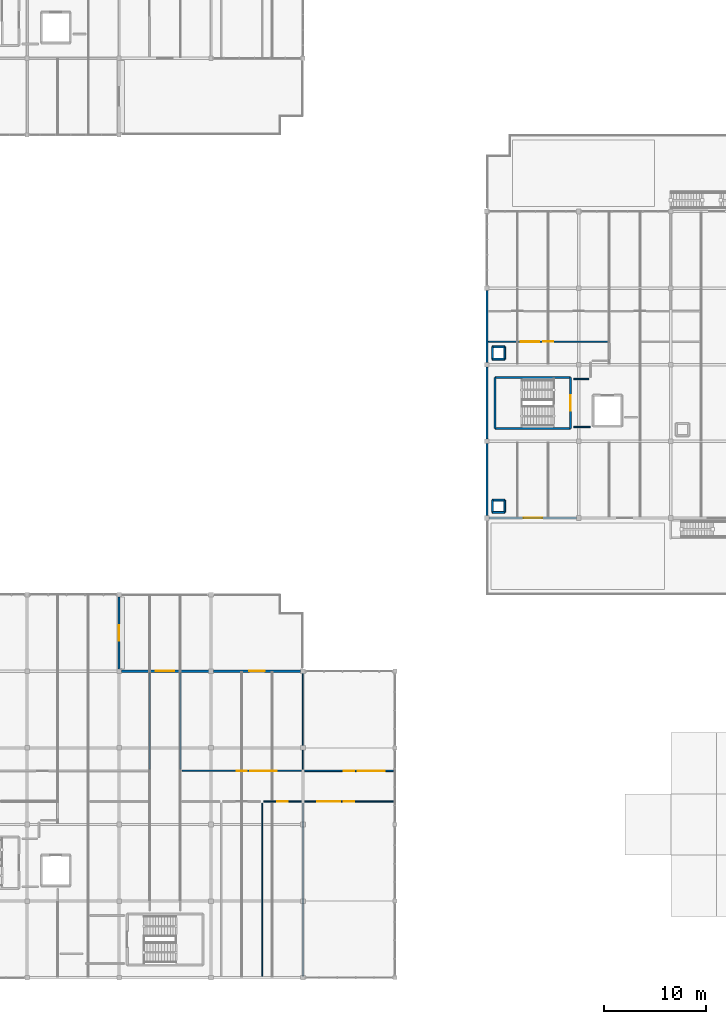
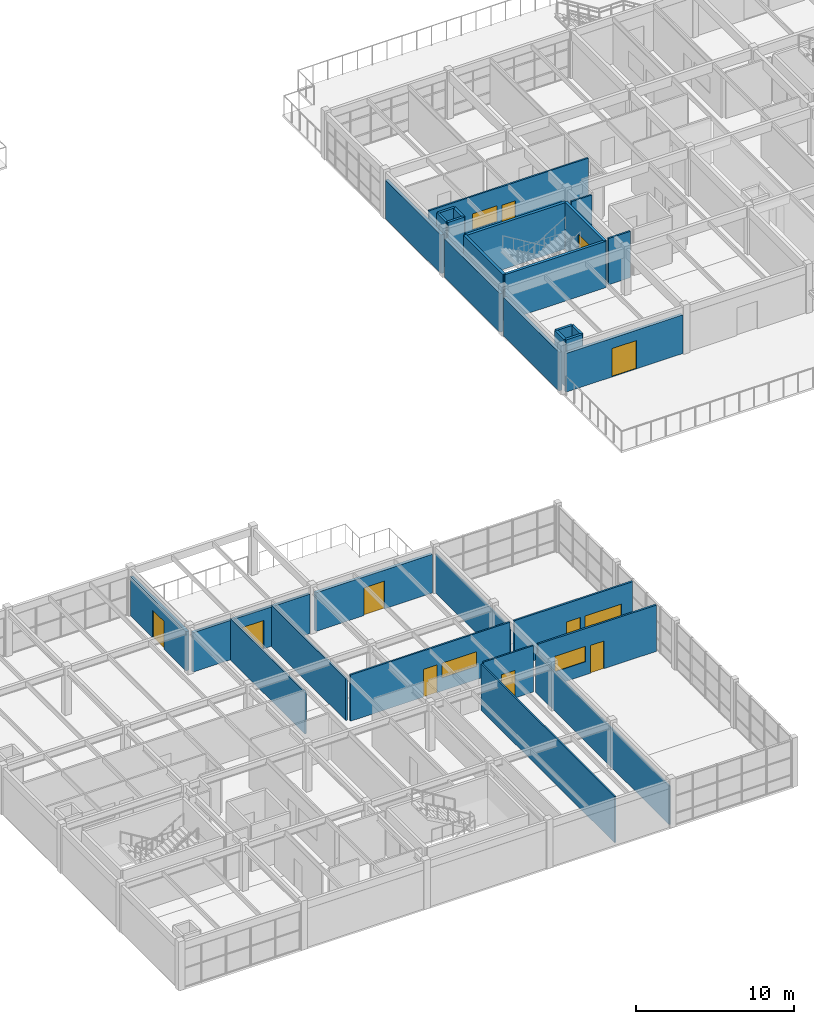
# One storey, part 37 of 45: 31 walls, 10 doors, 4 windows, 14 openings.
"""IFC4 building model written with IfcOpenShell, lengths in metres."""

from ifc_helpers import new_model, si_unit, direction, frame, frame_2d, origin, place, context, subcontext, project, spatial, rectangle, extrude, material, layer, layer_set, type_object, element, fill, save


model = new_model("IFC4")

# Units and contexts
model_context = context("Model", 3, precision=1e-05, world=origin(), true_north=direction((0.0, 1.0)))
body_context = subcontext(model_context, "Body", "Model", "MODEL_VIEW")
ifc_project = project(units=[si_unit("LENGTHUNIT", "METRE"), si_unit("AREAUNIT", "SQUARE_METRE"), si_unit("VOLUMEUNIT", "CUBIC_METRE"), si_unit("PLANEANGLEUNIT", "RADIAN"), si_unit("MASSUNIT", "GRAM", prefix="KILO")], contexts=[model_context])

# Site, building, storey
site_placement = place(None, origin())
site = spatial("IfcSite", under=ifc_project, at=site_placement, CompositionType="ELEMENT")
building_placement = place(site_placement, origin())
building = spatial("IfcBuilding", under=site, at=building_placement, Name="Marnridge Secondary College", CompositionType="ELEMENT")
storey_placement = place(building_placement, frame((0.0, 0.0, 12.300048828125)))
storey = spatial("IfcBuildingStorey", under=building, at=storey_placement, Name="L03", CompositionType="ELEMENT", Elevation=12.300048828125)

# Wall
ifc_material_1 = material(Name="Concrete C40/50 (AS 3600 N40, 40 MPa)", Category="concrete")
ifc_layer_1 = layer(ifc_material_1, 0.199951171875)
ifc_layer_set_1 = layer_set([ifc_layer_1], Name="WT-CORE-RC200")
wall_type_1 = type_object("IfcWallType", Name="WT-CORE-RC200", PredefinedType="SHEAR", material=ifc_layer_set_1)
wall_1_placement = place(storey_placement, frame((54.800048828125, 53.75, 0.0), z_axis=(0.0, 0.0, 1.0), x_axis=(1.0, 0.0, 0.0)))
element("IfcWall", 1, at=wall_1_placement, inside=storey, type_object=wall_type_1, Name="Stair core shear wall WC-L03-0261", PredefinedType="SHEAR", context=body_context, shape_type="SweptSolid", body=[
    extrude(rectangle(XDim=7.39990234375, YDim=0.199951171875, at=frame_2d((3.699951171875, 0.0))), origin(), (0.0, 0.0, 1.0), 3.58984375),
])

# Wall, opening, door
wall_2_placement = place(storey_placement, frame((62.199951171875, 53.75, 0.0), z_axis=(0.0, 0.0, 1.0), x_axis=(0.0, 1.0, 0.0)))
wall_2 = element("IfcWall", 2, at=wall_2_placement, inside=storey, type_object=wall_type_1, Name="Stair core shear wall WC-L03-0262", PredefinedType="SHEAR", context=body_context, shape_type="SweptSolid", body=[
    extrude(rectangle(XDim=5.0, YDim=0.199951171875, at=frame_2d((2.5, 0.0))), origin(), (0.0, 0.0, 1.0), 3.58984375),
])
opening_1_placement = place(wall_2_placement, frame((1.75, 0.0, 0.0)))
opening_1 = element("IfcOpeningElement", 3, at=opening_1_placement, cuts=wall_2, Name="Opening DC-L03-004", PredefinedType="OPENING", context=body_context, shape_type="SweptSolid", body=[
    extrude(rectangle(XDim=1.5, YDim=2.14990234375, at=frame_2d((0.75, 1.074951171875))), frame((0.0, 0.10986328125, 0.0), z_axis=(0.0, -1.0, 0.0), x_axis=(1.0, 0.0, 0.0)), (0.0, 0.0, 1.0), 0.219970703125),
])
ifc_material_2 = material(Name="Fire-rated solid-core timber doorset", Category="wood")
door_type_1 = type_object("IfcDoorType", Name="DT-CORE-FD150", OperationType="DOUBLE_DOOR_SINGLE_SWING", PredefinedType="DOOR", material=ifc_material_2)
door_1_placement = place(opening_1_placement, origin())
door_1 = element("IfcDoor", 4, at=door_1_placement, inside=storey, type_object=door_type_1, Name="Fire stair door DC-L03-004", OperationType="DOUBLE_DOOR_SINGLE_SWING", OverallHeight=2.14990234375, OverallWidth=1.5, PredefinedType="DOOR", context=body_context, shape_type="SweptSolid", body=[
    extrude(rectangle(XDim=1.5, YDim=2.14990234375, at=frame_2d((0.75, 1.074951171875))), frame((0.0, 0.02490234375, 0.0), z_axis=(0.0, -1.0, 0.0), x_axis=(1.0, 0.0, 0.0)), (0.0, 0.0, 1.0), 0.050048828125),
])
fill(opening_1, door_1)

# Walls
wall_3_placement = place(storey_placement, frame((62.199951171875, 58.75, 0.0), z_axis=(0.0, 0.0, 1.0), x_axis=(-1.0, 0.0, 0.0)))
element("IfcWall", 5, at=wall_3_placement, inside=storey, type_object=wall_type_1, Name="Stair core shear wall WC-L03-0263", PredefinedType="SHEAR", context=body_context, shape_type="SweptSolid", body=[
    extrude(rectangle(XDim=7.39990234375, YDim=0.199951171875, at=frame_2d((3.699951171875, 0.0))), origin(), (0.0, 0.0, 1.0), 3.58984375),
])
wall_4_placement = place(storey_placement, frame((54.800048828125, 58.75, 0.0), z_axis=(0.0, 0.0, 1.0), x_axis=(0.0, -1.0, 0.0)))
element("IfcWall", 6, at=wall_4_placement, inside=storey, type_object=wall_type_1, Name="Stair core shear wall WC-L03-0264", PredefinedType="SHEAR", context=body_context, shape_type="SweptSolid", body=[
    extrude(rectangle(XDim=5.0, YDim=0.199951171875, at=frame_2d((2.5, 0.0))), origin(), (0.0, 0.0, 1.0), 3.58984375),
])

# Wall, opening, door
ifc_material_3 = material(Name="Cross-laminated timber CL5", Category="wood")
ifc_layer_2 = layer(ifc_material_3, 0.215087890625)
ifc_layer_set_2 = layer_set([ifc_layer_2], Name="WT-EXT-CLT215")
wall_type_2 = type_object("IfcWallType", Name="WT-EXT-CLT215", PredefinedType="SOLIDWALL", material=ifc_layer_set_2)
wall_5_placement = place(storey_placement, frame((62.779052734375, 45.0, 0.0), z_axis=(0.0, 0.0, 1.0), x_axis=(-1.0, 0.0, 0.0)))
wall_5 = element("IfcWall", 7, at=wall_5_placement, inside=storey, type_object=wall_type_2, Name="Exterior wall WE-L03-0172", PredefinedType="SOLIDWALL", context=body_context, shape_type="SweptSolid", body=[
    extrude(rectangle(XDim=8.55810546875, YDim=0.215087890625, at=frame_2d((4.279052734375, 0.0))), origin(), (0.0, 0.0, 1.0), 2.9970703125),
])
opening_2_placement = place(wall_5_placement, frame((3.37890625, 0.0, 0.0)))
opening_2 = element("IfcOpeningElement", 8, at=opening_2_placement, cuts=wall_5, Name="Opening DE-L03-035", PredefinedType="OPENING", context=body_context, shape_type="SweptSolid", body=[
    extrude(rectangle(XDim=1.800048828125, YDim=2.199951171875, at=frame_2d((0.89990234375, 1.10009765625))), frame((0.0, 0.117431640625, 0.0), z_axis=(0.0, -1.0, 0.0), x_axis=(1.0, 0.0, 0.0)), (0.0, 0.0, 1.0), 0.235107421875),
])
ifc_material_4 = material(Name="Thermally broken timber-aluminium terrace doorset", Category="wood")
door_type_2 = type_object("IfcDoorType", Name="DT-EXT-TER180", OperationType="DOUBLE_DOOR_SINGLE_SWING", PredefinedType="DOOR", material=ifc_material_4)
door_2_placement = place(opening_2_placement, origin())
door_2 = element("IfcDoor", 9, at=door_2_placement, inside=storey, type_object=door_type_2, Name="Play deck access door DE-L03-035", OperationType="DOUBLE_DOOR_SINGLE_SWING", OverallHeight=2.199951171875, OverallWidth=1.800048828125, PredefinedType="DOOR", context=body_context, shape_type="SweptSolid", body=[
    extrude(rectangle(XDim=1.800048828125, YDim=2.199951171875, at=frame_2d((0.89990234375, 1.10009765625))), frame((0.0, 0.02490234375, 0.0), z_axis=(0.0, -1.0, 0.0), x_axis=(1.0, 0.0, 0.0)), (0.0, 0.0, 1.0), 0.050048828125),
])
fill(opening_2, door_2)

# Walls
for number, where, z_axis, x_axis, name in (
    (10, (54.0, 45.220947265625, 0.0), (0.0, 0.0, 1.0), (0.0, 1.0, 0.0), "Exterior wall WE-L03-0173"),
    (11, (54.0, 52.720947265625, 0.0), (0.0, 0.0, 1.0), (0.0, 1.0, 0.0), "Exterior wall WE-L03-0174"),
    (12, (54.0, 60.220947265625, 0.0), (0.0, 0.0, 1.0), (0.0, 1.0, 0.0), "Exterior wall WE-L03-0175"),
):
    element("IfcWall", number, at=place(storey_placement, frame(where, z_axis=z_axis, x_axis=x_axis)), inside=storey, type_object=wall_type_2, Name=name, PredefinedType="SOLIDWALL", context=body_context, shape_type="SweptSolid", body=[
        extrude(rectangle(XDim=7.05810546875, YDim=0.215087890625, at=frame_2d((3.529052734375, 0.0))), origin(), (0.0, 0.0, 1.0), 2.9970703125),
    ])

# Wall, opening, door
wall_6_placement = place(storey_placement, frame((18.0, 37.279052734375, 0.0), z_axis=(0.0, 0.0, 1.0), x_axis=(0.0, -1.0, 0.0)))
wall_6 = element("IfcWall", 13, at=wall_6_placement, inside=storey, type_object=wall_type_2, Name="Exterior wall WE-L03-0185", PredefinedType="SOLIDWALL", context=body_context, shape_type="SweptSolid", body=[
    extrude(rectangle(XDim=7.05810546875, YDim=0.215087890625, at=frame_2d((3.529052734375, 0.0))), origin(), (0.0, 0.0, 1.0), 3.0537109375),
])
opening_3_placement = place(wall_6_placement, frame((2.779052734375, 0.0, 0.0)))
opening_3 = element("IfcOpeningElement", 14, at=opening_3_placement, cuts=wall_6, Name="Opening DE-L03-038", PredefinedType="OPENING", context=body_context, shape_type="SweptSolid", body=[
    extrude(rectangle(XDim=1.5, YDim=2.14990234375, at=frame_2d((0.75, 1.074951171875))), frame((0.0, 0.117431640625, 0.0), z_axis=(0.0, -1.0, 0.0), x_axis=(1.0, 0.0, 0.0)), (0.0, 0.0, 1.0), 0.235107421875),
])
ifc_material_5 = material(Name="Thermally broken timber-aluminium terrace doorset", Category="wood")
door_type_3 = type_object("IfcDoorType", Name="DT-EXT-TER150", OperationType="DOUBLE_DOOR_SINGLE_SWING", PredefinedType="DOOR", material=ifc_material_5)
door_3_placement = place(opening_3_placement, origin())
door_3 = element("IfcDoor", 15, at=door_3_placement, inside=storey, type_object=door_type_3, Name="Play deck access door DE-L03-038", OperationType="DOUBLE_DOOR_SINGLE_SWING", OverallHeight=2.14990234375, OverallWidth=1.5, PredefinedType="DOOR", context=body_context, shape_type="SweptSolid", body=[
    extrude(rectangle(XDim=1.5, YDim=2.14990234375, at=frame_2d((0.75, 1.074951171875))), frame((0.0, 0.02490234375, 0.0), z_axis=(0.0, -1.0, 0.0), x_axis=(1.0, 0.0, 0.0)), (0.0, 0.0, 1.0), 0.050048828125),
])
fill(opening_3, door_3)

wall_7_placement = place(storey_placement, frame((18.220947265625, 30.0, 0.0), z_axis=(0.0, 0.0, 1.0), x_axis=(1.0, 0.0, 0.0)))
wall_7 = element("IfcWall", 16, at=wall_7_placement, inside=storey, type_object=wall_type_2, Name="Exterior wall WE-L03-0186", PredefinedType="SOLIDWALL", context=body_context, shape_type="SweptSolid", body=[
    extrude(rectangle(XDim=8.55810546875, YDim=0.215087890625, at=frame_2d((4.279052734375, 0.0))), origin(), (0.0, 0.0, 1.0), 3.0537109375),
])
opening_4_placement = place(wall_7_placement, frame((3.37890625, 0.0, 0.0)))
opening_4 = element("IfcOpeningElement", 17, at=opening_4_placement, cuts=wall_7, Name="Opening DE-L03-039", PredefinedType="OPENING", context=body_context, shape_type="SweptSolid", body=[
    extrude(rectangle(XDim=1.800048828125, YDim=2.199951171875, at=frame_2d((0.89990234375, 1.10009765625))), frame((0.0, 0.117431640625, 0.0), z_axis=(0.0, -1.0, 0.0), x_axis=(1.0, 0.0, 0.0)), (0.0, 0.0, 1.0), 0.235107421875),
])
door_4_placement = place(opening_4_placement, origin())
door_4 = element("IfcDoor", 18, at=door_4_placement, inside=storey, type_object=door_type_2, Name="Play deck access door DE-L03-039", OperationType="DOUBLE_DOOR_SINGLE_SWING", OverallHeight=2.199951171875, OverallWidth=1.800048828125, PredefinedType="DOOR", context=body_context, shape_type="SweptSolid", body=[
    extrude(rectangle(XDim=1.800048828125, YDim=2.199951171875, at=frame_2d((0.89990234375, 1.10009765625))), frame((0.0, 0.02490234375, 0.0), z_axis=(0.0, -1.0, 0.0), x_axis=(1.0, 0.0, 0.0)), (0.0, 0.0, 1.0), 0.050048828125),
])
fill(opening_4, door_4)

wall_8_placement = place(storey_placement, frame((27.220947265625, 30.0, 0.0), z_axis=(0.0, 0.0, 1.0), x_axis=(1.0, 0.0, 0.0)))
wall_8 = element("IfcWall", 19, at=wall_8_placement, inside=storey, type_object=wall_type_2, Name="Exterior wall WE-L03-0187", PredefinedType="SOLIDWALL", context=body_context, shape_type="SweptSolid", body=[
    extrude(rectangle(XDim=8.55810546875, YDim=0.215087890625, at=frame_2d((4.279052734375, 0.0))), origin(), (0.0, 0.0, 1.0), 2.9970703125),
])
opening_5_placement = place(wall_8_placement, frame((3.529052734375, 0.0, 0.0)))
opening_5 = element("IfcOpeningElement", 20, at=opening_5_placement, cuts=wall_8, Name="Opening DE-L03-040", PredefinedType="OPENING", context=body_context, shape_type="SweptSolid", body=[
    extrude(rectangle(XDim=1.5, YDim=2.14990234375, at=frame_2d((0.75, 1.074951171875))), frame((0.0, 0.117431640625, 0.0), z_axis=(0.0, -1.0, 0.0), x_axis=(1.0, 0.0, 0.0)), (0.0, 0.0, 1.0), 0.235107421875),
])
door_5_placement = place(opening_5_placement, origin())
door_5 = element("IfcDoor", 21, at=door_5_placement, inside=storey, type_object=door_type_3, Name="Play deck access door DE-L03-040", OperationType="DOUBLE_DOOR_SINGLE_SWING", OverallHeight=2.14990234375, OverallWidth=1.5, PredefinedType="DOOR", context=body_context, shape_type="SweptSolid", body=[
    extrude(rectangle(XDim=1.5, YDim=2.14990234375, at=frame_2d((0.75, 1.074951171875))), frame((0.0, 0.02490234375, 0.0), z_axis=(0.0, -1.0, 0.0), x_axis=(1.0, 0.0, 0.0)), (0.0, 0.0, 1.0), 0.050048828125),
])
fill(opening_5, door_5)

# Wall
ifc_material_6 = material(Name="Acoustic plasterboard partition Rw45", Category="gypsum")
ifc_layer_3 = layer(ifc_material_6, 0.1201171875)
ifc_layer_set_3 = layer_set([ifc_layer_3], Name="WT-PART-AC120")
wall_type_3 = type_object("IfcWallType", Name="WT-PART-AC120", PredefinedType="PARTITIONING", material=ifc_layer_set_3)
wall_9_placement = place(storey_placement, frame((62.5, 58.60009765625, 0.0), z_axis=(0.0, 0.0, 1.0), x_axis=(1.0, 0.0, 0.0)))
element("IfcWall", 22, at=wall_9_placement, inside=storey, type_object=wall_type_3, Name="Interior partition WP-L03-0337", PredefinedType="PARTITIONING", context=body_context, shape_type="SweptSolid", body=[
    extrude(rectangle(XDim=1.489990234375, YDim=0.1201171875, at=frame_2d((0.7451171875, 0.0))), origin(), (0.0, 0.0, 1.0), 3.58984375),
])

# Wall, openings, door, window
wall_10_placement = place(storey_placement, frame((65.840087890625, 62.25, 0.0), z_axis=(0.0, 0.0, 1.0), x_axis=(-1.0, 0.0, 0.0)))
wall_10 = element("IfcWall", 23, at=wall_10_placement, inside=storey, type_object=wall_type_3, Name="Interior partition WP-L03-0341", PredefinedType="PARTITIONING", context=body_context, shape_type="SweptSolid", body=[
    extrude(rectangle(XDim=11.68017578125, YDim=0.1201171875, at=frame_2d((5.840087890625, 0.0))), origin(), (0.0, 0.0, 1.0), 3.58984375),
])
opening_6_placement = place(wall_10_placement, frame((5.340087890625, 0.0, 0.0)))
opening_6 = element("IfcOpeningElement", 24, at=opening_6_placement, cuts=wall_10, Name="Opening DI-L03-0122", PredefinedType="OPENING", context=body_context, shape_type="SweptSolid", body=[
    extrude(rectangle(XDim=1.0, YDim=2.14990234375, at=frame_2d((0.5, 1.074951171875))), frame((0.0, 0.070068359375, 0.0), z_axis=(0.0, -1.0, 0.0), x_axis=(1.0, 0.0, 0.0)), (0.0, 0.0, 1.0), 0.14013671875),
])
opening_7_placement = place(wall_10_placement, frame((6.68994140625, 0.0, 1.02001953125)))
opening_7 = element("IfcOpeningElement", 25, at=opening_7_placement, cuts=wall_10, Name="Opening WNI-L03-028", PredefinedType="OPENING", context=body_context, shape_type="SweptSolid", body=[
    extrude(rectangle(XDim=1.820068359375, YDim=1.219970703125, at=frame_2d((0.91015625, 0.60986328125))), frame((0.0, 0.070068359375, 0.0), z_axis=(0.0, -1.0, 0.0), x_axis=(1.0, 0.0, 0.0)), (0.0, 0.0, 1.0), 0.14013671875),
])
ifc_material_7 = material(Name="Solid-core acoustic hoop-pine classroom doorset", Category="wood")
door_type_4 = type_object("IfcDoorType", Name="DT-CLS-100", OperationType="NOTDEFINED", PredefinedType="DOOR", material=ifc_material_7)
door_6_placement = place(opening_6_placement, origin())
door_6 = element("IfcDoor", 26, at=door_6_placement, inside=storey, type_object=door_type_4, Name="Interior door DI-L03-0122", OperationType="SINGLE_SWING_RIGHT", OverallHeight=2.14990234375, OverallWidth=1.0, PredefinedType="DOOR", context=body_context, shape_type="SweptSolid", body=[
    extrude(rectangle(XDim=1.0, YDim=2.14990234375, at=frame_2d((0.5, 1.074951171875))), frame((0.0, 0.02490234375, 0.0), z_axis=(0.0, -1.0, 0.0), x_axis=(1.0, 0.0, 0.0)), (0.0, 0.0, 1.0), 0.050048828125),
])
fill(opening_6, door_6)
ifc_material_8 = material(Name="Acoustic laminated interior vision glazing", Category="glass")
window_type_1 = type_object("IfcWindowType", Name="WN-BL-VAR10", PartitioningType="DOUBLE_PANEL_VERTICAL", PredefinedType="WINDOW", material=ifc_material_8)
window_1_placement = place(opening_7_placement, origin())
window_1 = element("IfcWindow", 27, at=window_1_placement, inside=storey, type_object=window_type_1, Name="Interior vision window WNI-L03-028", OverallHeight=1.219970703125, OverallWidth=1.820068359375, PartitioningType="DOUBLE_PANEL_VERTICAL", PredefinedType="WINDOW", context=body_context, shape_type="SweptSolid", body=[
    extrude(rectangle(XDim=1.820068359375, YDim=1.219970703125, at=frame_2d((0.91015625, 0.60986328125))), frame((0.0, 0.030029296875, 0.0), z_axis=(0.0, -1.0, 0.0), x_axis=(1.0, 0.0, 0.0)), (0.0, 0.0, 1.0), 0.06005859375),
])
fill(opening_7, window_1)

# Wall
wall_11_placement = place(storey_placement, frame((21.0, 20.409912109375, 0.0), z_axis=(0.0, 0.0, 1.0), x_axis=(0.0, 1.0, 0.0)))
element("IfcWall", 28, at=wall_11_placement, inside=storey, type_object=wall_type_3, Name="Interior partition WP-L03-0395", PredefinedType="PARTITIONING", context=body_context, shape_type="SweptSolid", body=[
    extrude(rectangle(XDim=9.43017578125, YDim=0.1201171875, at=frame_2d((4.715087890625, 0.0))), origin(), (0.0, 0.0, 1.0), 3.221923828125),
])

# Wall, openings, door, window
wall_12_placement = place(storey_placement, frame((24.159912109375, 20.25, 0.0), z_axis=(0.0, 0.0, 1.0), x_axis=(1.0, 0.0, 0.0)))
wall_12 = element("IfcWall", 29, at=wall_12_placement, inside=storey, type_object=wall_type_3, Name="Interior partition WP-L03-0397", PredefinedType="PARTITIONING", context=body_context, shape_type="SweptSolid", body=[
    extrude(rectangle(XDim=11.68017578125, YDim=0.1201171875, at=frame_2d((5.840087890625, 0.0))), origin(), (0.0, 0.0, 1.0), 3.58984375),
])
opening_8_placement = place(wall_12_placement, frame((5.340087890625, 0.0, 0.0)))
opening_8 = element("IfcOpeningElement", 30, at=opening_8_placement, cuts=wall_12, Name="Opening DI-L03-0143", PredefinedType="OPENING", context=body_context, shape_type="SweptSolid", body=[
    extrude(rectangle(XDim=1.0, YDim=2.14990234375, at=frame_2d((0.5, 1.074951171875))), frame((0.0, 0.070068359375, 0.0), z_axis=(0.0, -1.0, 0.0), x_axis=(1.0, 0.0, 0.0)), (0.0, 0.0, 1.0), 0.14013671875),
])
opening_9_placement = place(wall_12_placement, frame((6.68994140625, 0.0, 1.02001953125)))
opening_9 = element("IfcOpeningElement", 31, at=opening_9_placement, cuts=wall_12, Name="Opening WNI-L03-035", PredefinedType="OPENING", context=body_context, shape_type="SweptSolid", body=[
    extrude(rectangle(XDim=2.56005859375, YDim=1.139892578125, at=frame_2d((1.280029296875, 0.56982421875))), frame((0.0, 0.070068359375, 0.0), z_axis=(0.0, -1.0, 0.0), x_axis=(1.0, 0.0, 0.0)), (0.0, 0.0, 1.0), 0.14013671875),
])
door_7_placement = place(opening_8_placement, origin())
door_7 = element("IfcDoor", 32, at=door_7_placement, inside=storey, type_object=door_type_4, Name="Interior door DI-L03-0143", OperationType="SINGLE_SWING_LEFT", OverallHeight=2.14990234375, OverallWidth=1.0, PredefinedType="DOOR", context=body_context, shape_type="SweptSolid", body=[
    extrude(rectangle(XDim=1.0, YDim=2.14990234375, at=frame_2d((0.5, 1.074951171875))), frame((0.0, 0.02490234375, 0.0), z_axis=(0.0, -1.0, 0.0), x_axis=(1.0, 0.0, 0.0)), (0.0, 0.0, 1.0), 0.050048828125),
])
fill(opening_8, door_7)
ifc_material_9 = material(Name="Acoustic laminated interior vision glazing", Category="glass")
window_type_2 = type_object("IfcWindowType", Name="WN-BL-VAR17", PartitioningType="DOUBLE_PANEL_VERTICAL", PredefinedType="WINDOW", material=ifc_material_9)
window_2_placement = place(opening_9_placement, origin())
window_2 = element("IfcWindow", 33, at=window_2_placement, inside=storey, type_object=window_type_2, Name="Interior vision window WNI-L03-035", OverallHeight=1.139892578125, OverallWidth=2.56005859375, PartitioningType="DOUBLE_PANEL_VERTICAL", PredefinedType="WINDOW", context=body_context, shape_type="SweptSolid", body=[
    extrude(rectangle(XDim=2.56005859375, YDim=1.139892578125, at=frame_2d((1.280029296875, 0.56982421875))), frame((0.0, 0.030029296875, 0.0), z_axis=(0.0, -1.0, 0.0), x_axis=(1.0, 0.0, 0.0)), (0.0, 0.0, 1.0), 0.06005859375),
])
fill(opening_9, window_2)

# Wall
ifc_material_10 = material(Name="Acoustic plasterboard partition Rw48", Category="gypsum")
ifc_layer_4 = layer(ifc_material_10, 0.135009765625)
ifc_layer_set_4 = layer_set([ifc_layer_4], Name="WT-PART-AC135")
wall_type_4 = type_object("IfcWallType", Name="WT-PART-AC135", PredefinedType="PARTITIONING", material=ifc_layer_set_4)
wall_13_placement = place(storey_placement, frame((64.10009765625, 53.89990234375, 0.0), z_axis=(0.0, 0.0, 1.0), x_axis=(-1.0, 0.0, 0.0)))
element("IfcWall", 34, at=wall_13_placement, inside=storey, type_object=wall_type_4, Name="Interior partition WP-L03-0332", PredefinedType="PARTITIONING", context=body_context, shape_type="SweptSolid", body=[
    extrude(rectangle(XDim=1.60009765625, YDim=0.135009765625, at=frame_2d((0.800048828125, 0.0))), origin(), (0.0, 0.0, 1.0), 3.58984375),
])

# Wall, openings, door, window
wall_14_placement = place(storey_placement, frame((44.840087890625, 17.25, 0.0), z_axis=(0.0, 0.0, 1.0), x_axis=(-1.0, 0.0, 0.0)))
wall_14 = element("IfcWall", 35, at=wall_14_placement, inside=storey, type_object=wall_type_4, Name="Interior partition WP-L03-0384", PredefinedType="PARTITIONING", context=body_context, shape_type="SweptSolid", body=[
    extrude(rectangle(XDim=8.68017578125, YDim=0.135009765625, at=frame_2d((4.340087890625, 0.0))), origin(), (0.0, 0.0, 1.0), 3.58984375),
])
opening_10_placement = place(wall_14_placement, frame((3.840087890625, 0.0, 0.0)))
opening_10 = element("IfcOpeningElement", 36, at=opening_10_placement, cuts=wall_14, Name="Opening DI-L03-0139", PredefinedType="OPENING", context=body_context, shape_type="SweptSolid", body=[
    extrude(rectangle(XDim=1.0, YDim=2.14990234375, at=frame_2d((0.5, 1.074951171875))), frame((0.0, 0.077392578125, 0.0), z_axis=(0.0, -1.0, 0.0), x_axis=(1.0, 0.0, 0.0)), (0.0, 0.0, 1.0), 0.155029296875),
])
opening_11_placement = place(wall_14_placement, frame((5.18994140625, 0.0, 1.02001953125)))
opening_11 = element("IfcOpeningElement", 37, at=opening_11_placement, cuts=wall_14, Name="Opening WNI-L03-032", PredefinedType="OPENING", context=body_context, shape_type="SweptSolid", body=[
    extrude(rectangle(XDim=2.239990234375, YDim=1.199951171875, at=frame_2d((1.1201171875, 0.60009765625))), frame((0.0, 0.077392578125, 0.0), z_axis=(0.0, -1.0, 0.0), x_axis=(1.0, 0.0, 0.0)), (0.0, 0.0, 1.0), 0.155029296875),
])
door_8_placement = place(opening_10_placement, origin())
door_8 = element("IfcDoor", 38, at=door_8_placement, inside=storey, type_object=door_type_4, Name="Interior door DI-L03-0139", OperationType="SINGLE_SWING_LEFT", OverallHeight=2.14990234375, OverallWidth=1.0, PredefinedType="DOOR", context=body_context, shape_type="SweptSolid", body=[
    extrude(rectangle(XDim=1.0, YDim=2.14990234375, at=frame_2d((0.5, 1.074951171875))), frame((0.0, 0.02490234375, 0.0), z_axis=(0.0, -1.0, 0.0), x_axis=(1.0, 0.0, 0.0)), (0.0, 0.0, 1.0), 0.050048828125),
])
fill(opening_10, door_8)
ifc_material_11 = material(Name="Acoustic laminated interior vision glazing", Category="glass")
window_type_3 = type_object("IfcWindowType", Name="WN-BL-VAR14", PartitioningType="DOUBLE_PANEL_VERTICAL", PredefinedType="WINDOW", material=ifc_material_11)
window_3_placement = place(opening_11_placement, origin())
window_3 = element("IfcWindow", 39, at=window_3_placement, inside=storey, type_object=window_type_3, Name="Interior vision window WNI-L03-032", OverallHeight=1.199951171875, OverallWidth=2.239990234375, PartitioningType="DOUBLE_PANEL_VERTICAL", PredefinedType="WINDOW", context=body_context, shape_type="SweptSolid", body=[
    extrude(rectangle(XDim=2.239990234375, YDim=1.199951171875, at=frame_2d((1.1201171875, 0.60009765625))), frame((0.0, 0.030029296875, 0.0), z_axis=(0.0, -1.0, 0.0), x_axis=(1.0, 0.0, 0.0)), (0.0, 0.0, 1.0), 0.06005859375),
])
fill(opening_11, window_3)

# Wall
wall_15_placement = place(storey_placement, frame((24.0, 29.840087890625, 0.0), z_axis=(0.0, 0.0, 1.0), x_axis=(0.0, -1.0, 0.0)))
element("IfcWall", 40, at=wall_15_placement, inside=storey, type_object=wall_type_4, Name="Interior partition WP-L03-0396", PredefinedType="PARTITIONING", context=body_context, shape_type="SweptSolid", body=[
    extrude(rectangle(XDim=9.43017578125, YDim=0.135009765625, at=frame_2d((4.715087890625, 0.0))), origin(), (0.0, 0.0, 1.0), 3.221923828125),
])

# Wall, openings, door, window
wall_16_placement = place(storey_placement, frame((36.159912109375, 20.25, 0.0), z_axis=(0.0, 0.0, 1.0), x_axis=(1.0, 0.0, 0.0)))
wall_16 = element("IfcWall", 41, at=wall_16_placement, inside=storey, type_object=wall_type_4, Name="Interior partition WP-L03-0398", PredefinedType="PARTITIONING", context=body_context, shape_type="SweptSolid", body=[
    extrude(rectangle(XDim=8.68017578125, YDim=0.135009765625, at=frame_2d((4.340087890625, 0.0))), origin(), (0.0, 0.0, 1.0), 3.58984375),
])
opening_12_placement = place(wall_16_placement, frame((3.840087890625, 0.0, 0.0)))
opening_12 = element("IfcOpeningElement", 42, at=opening_12_placement, cuts=wall_16, Name="Opening DI-L03-0144", PredefinedType="OPENING", context=body_context, shape_type="SweptSolid", body=[
    extrude(rectangle(XDim=1.0, YDim=2.14990234375, at=frame_2d((0.5, 1.074951171875))), frame((0.0, 0.077392578125, 0.0), z_axis=(0.0, -1.0, 0.0), x_axis=(1.0, 0.0, 0.0)), (0.0, 0.0, 1.0), 0.155029296875),
])
opening_13_placement = place(wall_16_placement, frame((5.18994140625, 0.0, 1.02001953125)))
opening_13 = element("IfcOpeningElement", 43, at=opening_13_placement, cuts=wall_16, Name="Opening WNI-L03-036", PredefinedType="OPENING", context=body_context, shape_type="SweptSolid", body=[
    extrude(rectangle(XDim=2.659912109375, YDim=1.1201171875, at=frame_2d((1.330078125, 0.56005859375))), frame((0.0, 0.077392578125, 0.0), z_axis=(0.0, -1.0, 0.0), x_axis=(1.0, 0.0, 0.0)), (0.0, 0.0, 1.0), 0.155029296875),
])
door_9_placement = place(opening_12_placement, origin())
door_9 = element("IfcDoor", 44, at=door_9_placement, inside=storey, type_object=door_type_4, Name="Interior door DI-L03-0144", OperationType="SINGLE_SWING_RIGHT", OverallHeight=2.14990234375, OverallWidth=1.0, PredefinedType="DOOR", context=body_context, shape_type="SweptSolid", body=[
    extrude(rectangle(XDim=1.0, YDim=2.14990234375, at=frame_2d((0.5, 1.074951171875))), frame((0.0, 0.02490234375, 0.0), z_axis=(0.0, -1.0, 0.0), x_axis=(1.0, 0.0, 0.0)), (0.0, 0.0, 1.0), 0.050048828125),
])
fill(opening_12, door_9)
ifc_material_12 = material(Name="Acoustic laminated interior vision glazing", Category="glass")
window_type_4 = type_object("IfcWindowType", Name="WN-BL-VAR18", PartitioningType="DOUBLE_PANEL_VERTICAL", PredefinedType="WINDOW", material=ifc_material_12)
window_4_placement = place(opening_13_placement, origin())
window_4 = element("IfcWindow", 45, at=window_4_placement, inside=storey, type_object=window_type_4, Name="Interior vision window WNI-L03-036", OverallHeight=1.1201171875, OverallWidth=2.659912109375, PartitioningType="DOUBLE_PANEL_VERTICAL", PredefinedType="WINDOW", context=body_context, shape_type="SweptSolid", body=[
    extrude(rectangle(XDim=2.659912109375, YDim=1.1201171875, at=frame_2d((1.330078125, 0.56005859375))), frame((0.0, 0.030029296875, 0.0), z_axis=(0.0, -1.0, 0.0), x_axis=(1.0, 0.0, 0.0)), (0.0, 0.0, 1.0), 0.06005859375),
])
fill(opening_13, window_4)

# Walls
ifc_material_13 = material(Name="Acoustic glazed studio partition system", Category="gypsum")
ifc_layer_5 = layer(ifc_material_13, 0.10009765625)
ifc_layer_set_5 = layer_set([ifc_layer_5], Name="WT-PART-GL100")
wall_type_5 = type_object("IfcWallType", Name="WT-PART-GL100", PredefinedType="PARTITIONING", material=ifc_layer_set_5)
wall_17_placement = place(storey_placement, frame((36.0, 20.409912109375, 0.0), z_axis=(0.0, 0.0, 1.0), x_axis=(0.0, 1.0, 0.0)))
element("IfcWall", 46, at=wall_17_placement, inside=storey, type_object=wall_type_5, Name="Interior partition WP-L03-0399", PredefinedType="PARTITIONING", context=body_context, shape_type="SweptSolid", body=[
    extrude(rectangle(XDim=9.43017578125, YDim=0.10009765625, at=frame_2d((4.715087890625, 0.0))), origin(), (0.0, 0.0, 1.0), 2.9970703125),
])
ifc_material_14 = material(Name="Moisture-resistant plasterboard sanitary partition", Category="gypsum")
ifc_layer_6 = layer(ifc_material_14, 0.110107421875)
ifc_layer_set_6 = layer_set([ifc_layer_6], Name="WT-PART-WT110")
wall_type_6 = type_object("IfcWallType", Name="WT-PART-WT110", PredefinedType="PARTITIONING", material=ifc_layer_set_6)
wall_18_placement = place(storey_placement, frame((32.0, 0.159912109375, 0.0), z_axis=(0.0, 0.0, 1.0), x_axis=(0.0, 1.0, 0.0)))
element("IfcWall", 47, at=wall_18_placement, inside=storey, type_object=wall_type_6, Name="Interior partition WP-L03-0376", PredefinedType="PARTITIONING", context=body_context, shape_type="SweptSolid", body=[
    extrude(rectangle(XDim=16.93017578125, YDim=0.110107421875, at=frame_2d((8.465087890625, 0.0))), origin(), (0.0, 0.0, 1.0), 3.58984375),
])

# Wall, opening, door
wall_19_placement = place(storey_placement, frame((35.840087890625, 17.25, 0.0), z_axis=(0.0, 0.0, 1.0), x_axis=(-1.0, 0.0, 0.0)))
wall_19 = element("IfcWall", 48, at=wall_19_placement, inside=storey, type_object=wall_type_6, Name="Interior partition WP-L03-0378", PredefinedType="PARTITIONING", context=body_context, shape_type="SweptSolid", body=[
    extrude(rectangle(XDim=3.68017578125, YDim=0.110107421875, at=frame_2d((1.840087890625, 0.0))), origin(), (0.0, 0.0, 1.0), 3.58984375),
])
opening_14_placement = place(wall_19_placement, frame((1.340087890625, 0.0, 0.0)))
opening_14 = element("IfcOpeningElement", 49, at=opening_14_placement, cuts=wall_19, Name="Opening DI-L03-0137", PredefinedType="OPENING", context=body_context, shape_type="SweptSolid", body=[
    extrude(rectangle(XDim=1.0, YDim=2.14990234375, at=frame_2d((0.5, 1.074951171875))), frame((0.0, 0.06494140625, 0.0), z_axis=(0.0, -1.0, 0.0), x_axis=(1.0, 0.0, 0.0)), (0.0, 0.0, 1.0), 0.130126953125),
])
door_10_placement = place(opening_14_placement, origin())
door_10 = element("IfcDoor", 50, at=door_10_placement, inside=storey, type_object=door_type_4, Name="Interior door DI-L03-0137", OperationType="SINGLE_SWING_LEFT", OverallHeight=2.14990234375, OverallWidth=1.0, PredefinedType="DOOR", context=body_context, shape_type="SweptSolid", body=[
    extrude(rectangle(XDim=1.0, YDim=2.14990234375, at=frame_2d((0.5, 1.074951171875))), frame((0.0, 0.02490234375, 0.0), z_axis=(0.0, -1.0, 0.0), x_axis=(1.0, 0.0, 0.0)), (0.0, 0.0, 1.0), 0.050048828125),
])
fill(opening_14, door_10)

# Walls
wall_20_placement = place(storey_placement, frame((36.0, 0.159912109375, 0.0), z_axis=(0.0, 0.0, 1.0), x_axis=(0.0, 1.0, 0.0)))
element("IfcWall", 51, at=wall_20_placement, inside=storey, type_object=wall_type_6, Name="Interior partition WP-L03-0379", PredefinedType="PARTITIONING", context=body_context, shape_type="SweptSolid", body=[
    extrude(rectangle(XDim=16.93017578125, YDim=0.110107421875, at=frame_2d((8.465087890625, 0.0))), origin(), (0.0, 0.0, 1.0), 2.9970703125),
])
ifc_material_15 = material(Name="Concrete C40/50 (AS 3600 N40, 40 MPa)", Category="concrete")
ifc_layer_7 = layer(ifc_material_15, 0.179931640625)
ifc_layer_set_7 = layer_set([ifc_layer_7], Name="WT-SHAFT-RC180")
wall_type_7 = type_object("IfcWallType", Name="WT-SHAFT-RC180", PredefinedType="SHEAR", material=ifc_layer_set_7)
for number, where, z_axis, x_axis, name in (
    (52, (55.75, 45.550048828125, 0.0), (0.0, 0.0, 1.0), (-1.0, 0.0, 0.0), "Service riser shaft wall WR-L03-0181"),
    (53, (54.550048828125, 45.550048828125, 0.0), (0.0, 0.0, 1.0), (0.0, 1.0, 0.0), "Service riser shaft wall WR-L03-0182"),
    (54, (54.550048828125, 46.75, 0.0), (0.0, 0.0, 1.0), (1.0, 0.0, 0.0), "Service riser shaft wall WR-L03-0183"),
    (55, (55.75, 46.75, 0.0), (0.0, 0.0, 1.0), (0.0, -1.0, 0.0), "Service riser shaft wall WR-L03-0184"),
    (56, (55.75, 60.550048828125, 0.0), (0.0, 0.0, 1.0), (-1.0, 0.0, 0.0), "Service riser shaft wall WR-L03-0189"),
    (57, (54.550048828125, 60.550048828125, 0.0), (0.0, 0.0, 1.0), (0.0, 1.0, 0.0), "Service riser shaft wall WR-L03-0190"),
    (58, (54.550048828125, 61.75, 0.0), (0.0, 0.0, 1.0), (1.0, 0.0, 0.0), "Service riser shaft wall WR-L03-0191"),
    (59, (55.75, 61.75, 0.0), (0.0, 0.0, 1.0), (0.0, -1.0, 0.0), "Service riser shaft wall WR-L03-0192"),
):
    element("IfcWall", number, at=place(storey_placement, frame(where, z_axis=z_axis, x_axis=x_axis)), inside=storey, type_object=wall_type_7, Name=name, PredefinedType="SHEAR", context=body_context, shape_type="SweptSolid", body=[
        extrude(rectangle(XDim=1.199951171875, YDim=0.179931640625, at=frame_2d((0.60009765625, 0.0))), origin(), (0.0, 0.0, 1.0), 3.58984375),
    ])

save(model, "model.ifc")
